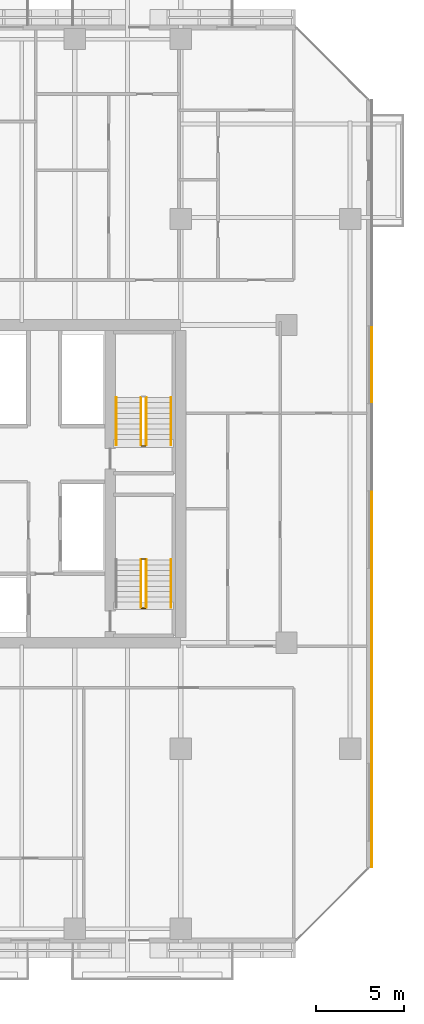
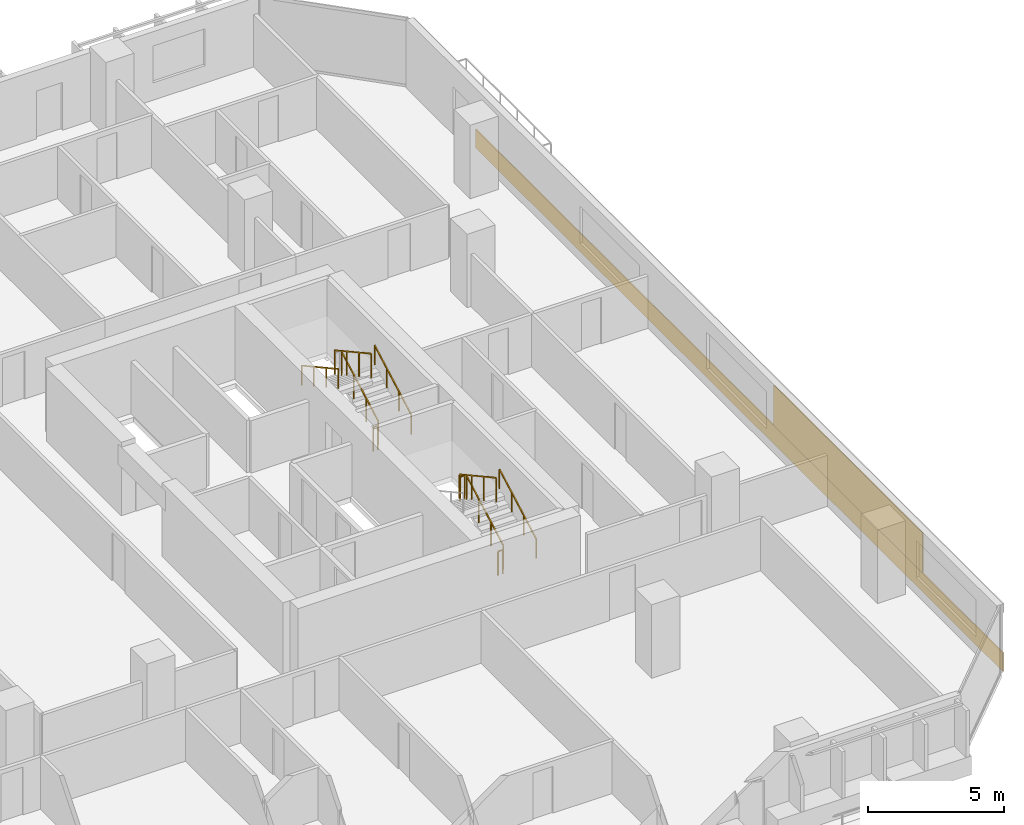
# One storey, part 31 of 33: 10 railings, 2 coverings.
"""IFC4 building model written with IfcOpenShell, lengths in metres."""

import ifcopenshell
import ifcopenshell.guid

model = None  # the IFC model being written
_history = None  # IfcOwnerHistory: only IFC2X3 demands one
_inside = {}  # id of a spatial element -> (the spatial element, [elements in it])
_under = {}  # id of a project, library or spatial element -> (it, [spatial elements below it])
_declared = {}  # id of a project -> (the project, [libraries it declares])
_typed = {}  # id of a type object -> (the type object, [elements of that type])
_made_of = {}  # id of a material, layer set ... -> (it, [elements and type objects made of it])


def new_model(schema):
    """Start an empty IFC model of exactly this schema.

    Asked for "IFC4X3", IfcOpenShell would pick the latest addendum, in which some entities
    have other attributes; the version numbers below select the first issue.
    IFC2X3 requires an IfcOwnerHistory on every rooted entity: one is made here for all.
    """
    global model, _history
    if schema == "IFC4X3":
        model = ifcopenshell.file(schema_version=(4, 3, 0, 0))
    else:
        model = ifcopenshell.file(schema=schema)
    _inside.clear()
    _under.clear()
    _declared.clear()
    _typed.clear()
    _made_of.clear()
    _history = None
    if model.schema == "IFC2X3":
        org = make("IfcOrganization", Name="unknown")
        user = make(
            "IfcPersonAndOrganization",
            ThePerson=make("IfcPerson", FamilyName="unknown"),
            TheOrganization=org,
        )
        app = make(
            "IfcApplication",
            ApplicationDeveloper=org,
            Version="unknown",
            ApplicationFullName="unknown",
            ApplicationIdentifier="unknown",
        )
        _history = make(
            "IfcOwnerHistory",
            OwningUser=user,
            OwningApplication=app,
            ChangeAction="ADDED",
            CreationDate=0,
        )
    return model


def make(cls, **values):
    """One entity of the class cls with the attributes given. An attribute that is None is left unset."""
    return model.create_entity(
        cls, **{name: value for name, value in values.items() if value is not None}
    )


def rooted(cls, **values):
    """An entity with a GlobalId (a new one), such as an element, a storey or a relation."""
    return make(cls, GlobalId=ifcopenshell.guid.new(), OwnerHistory=_history, **values)


def si_unit(unit_type, name, prefix=None):
    """IfcSIUnit, for example si_unit("LENGTHUNIT", "METRE", prefix="MILLI")."""
    return make("IfcSIUnit", UnitType=unit_type, Prefix=prefix, Name=name)


def assignment(units):
    """IfcUnitAssignment: the units of a project."""
    return None if units is None else make("IfcUnitAssignment", Units=units)


def point(xyz):
    """IfcCartesianPoint."""
    return None if xyz is None else make("IfcCartesianPoint", Coordinates=xyz)


def direction(xyz):
    """IfcDirection."""
    return None if xyz is None else make("IfcDirection", DirectionRatios=xyz)


def frame(location, z_axis=None, x_axis=None):
    """IfcAxis2Placement3D, a coordinate frame: its origin and axes. An axis left out is left unset."""
    return make(
        "IfcAxis2Placement3D",
        Location=point(location),
        Axis=direction(z_axis),
        RefDirection=direction(x_axis),
    )


def frame_2d(location, x_axis=None):
    """IfcAxis2Placement2D, a coordinate frame in the plane: its origin and x axis."""
    return make(
        "IfcAxis2Placement2D", Location=point(location), RefDirection=direction(x_axis)
    )


def origin():
    """The frame at (0, 0, 0) with its axes left unset."""
    return frame((0.0, 0.0, 0.0))


def origin_2d():
    """The frame at (0, 0) in the plane with its x axis left unset."""
    return frame_2d((0.0, 0.0))


def place(relative_to, where):
    """IfcLocalPlacement: puts the frame where relative to a parent placement (None: the world)."""
    return make(
        "IfcLocalPlacement", PlacementRelTo=relative_to, RelativePlacement=where
    )


def context(
    kind, dimensions, precision=None, world=None, true_north=None, identifier=None
):
    """IfcGeometricRepresentationContext, for example the 3D "Model" context."""
    return make(
        "IfcGeometricRepresentationContext",
        ContextIdentifier=identifier,
        ContextType=kind,
        CoordinateSpaceDimension=dimensions,
        Precision=precision,
        WorldCoordinateSystem=world,
        TrueNorth=true_north,
    )


def subcontext(parent, identifier, kind, view, scale=None):
    """IfcGeometricRepresentationSubContext, for example "Body" below "Model"."""
    return make(
        "IfcGeometricRepresentationSubContext",
        ContextIdentifier=identifier,
        ContextType=kind,
        ParentContext=parent,
        TargetScale=scale,
        TargetView=view,
    )


def project(units=None, contexts=None):
    """IfcProject with its units and contexts."""
    return rooted(
        "IfcProject",
        Name="project",
        RepresentationContexts=contexts,
        UnitsInContext=assignment(units),
    )


def spatial(cls, under=None, at=None, **own):
    """A site, building, storey or space (cls), placed at a placement, below another one or the project."""
    s = rooted(cls, ObjectPlacement=at, **own)
    if under is not None:
        _under.setdefault(under.id(), (under, []))[1].append(s)
    return s


def profile(cls, at=None, kind="AREA", **sizes):
    """A parametric profile (cls). Its sizes go by their IFC names, for example OverallWidth=200.0."""
    return make(cls, ProfileType=kind, Position=at, **sizes)


def rectangle(**sizes):
    """IfcRectangleProfileDef."""
    return profile("IfcRectangleProfileDef", **sizes)


def extrude(swept, where, along, depth):
    """IfcExtrudedAreaSolid: the profile swept, set in the frame where, extruded along a direction by depth."""
    return make(
        "IfcExtrudedAreaSolid",
        SweptArea=swept,
        Position=where,
        ExtrudedDirection=direction(along),
        Depth=depth,
    )


def shape(context_of_items, identifier, shape_type, items):
    """IfcShapeRepresentation: the items that make up one representation, for example the "Body"."""
    return make(
        "IfcShapeRepresentation",
        ContextOfItems=context_of_items,
        RepresentationIdentifier=identifier,
        RepresentationType=shape_type,
        Items=items,
    )


def material(Name=None, Category=None):
    """IfcMaterial."""
    return make("IfcMaterial", Name=Name, Category=Category)


def layer(
    of_material, thickness, ventilated=None, Name=None, Category=None, Priority=None
):
    """IfcMaterialLayer: one layer of a wall or slab, of a material (None: an air gap)."""
    return make(
        "IfcMaterialLayer",
        Material=of_material,
        LayerThickness=thickness,
        IsVentilated=ventilated,
        Name=Name,
        Category=Category,
        Priority=Priority,
    )


def layer_set(layers, Name=None):
    """IfcMaterialLayerSet."""
    return make("IfcMaterialLayerSet", MaterialLayers=layers, LayerSetName=Name)


def made_of(thing, what):
    """Note that an element or type object is made of a material, layer set ...; save() writes the relation."""
    if what is not None:
        _made_of.setdefault(what.id(), (what, []))[1].append(thing)
    return thing


def type_object(cls, material=None, **own):
    """A type object (cls), such as IfcWallType, which elements share."""
    return made_of(rooted(cls, **own), material)


def element(
    cls,
    number,
    at=None,
    inside=None,
    cuts=None,
    type_object=None,
    material=None,
    context=None,
    identifier="Body",
    shape_type=None,
    held_by="IfcProductDefinitionShape",
    body=None,
    shapes=None,
    **own,
):
    """One element of the class cls, such as IfcWall. Its Tag is "e" and its number.

    at: its placement. inside: the storey or other place that contains it. cuts: it is an
    opening in that element (IfcRelVoidsElement). A single representation is given by context,
    identifier, shape_type and body (its items); several are given by shapes. held_by: the class
    of the entity that holds the representations. save() writes the other relations.
    """
    e = rooted(cls, Tag="e%d" % number, ObjectPlacement=at, **own)
    if body is not None:
        shapes = [shape(context, identifier, shape_type, body)]
    if shapes is not None:
        e.Representation = make(held_by, Representations=shapes)
    if inside is not None:
        _inside.setdefault(inside.id(), (inside, []))[1].append(e)
    if cuts is not None:
        rooted(
            "IfcRelVoidsElement", RelatingBuildingElement=cuts, RelatedOpeningElement=e
        )
    if type_object is not None:
        _typed.setdefault(type_object.id(), (type_object, []))[1].append(e)
    return made_of(e, material)


def aggregate(whole, parts):
    """IfcRelAggregates: a whole, such as a stair, and the parts it consists of."""
    return rooted("IfcRelAggregates", RelatingObject=whole, RelatedObjects=parts)


def save(model, path):
    """Write the relations noted so far, then the file.

    IfcRelAggregates (storeys below a building ...), IfcRelContainedInSpatialStructure (elements
    in a storey), IfcRelDefinesByType, IfcRelAssociatesMaterial and IfcRelDeclares: one each for
    every whole, place, type object, material and project.
    """
    for whole, parts in _under.values():
        aggregate(whole, parts)
    for where, things in _inside.values():
        rooted(
            "IfcRelContainedInSpatialStructure",
            RelatedElements=things,
            RelatingStructure=where,
        )
    for kind, things in _typed.values():
        rooted("IfcRelDefinesByType", RelatedObjects=things, RelatingType=kind)
    for what, things in _made_of.values():
        rooted("IfcRelAssociatesMaterial", RelatedObjects=things, RelatingMaterial=what)
    for by, libraries in _declared.values():
        rooted("IfcRelDeclares", RelatingContext=by, RelatedDefinitions=libraries)
    model.write(path)


model = new_model("IFC4")

# Units and contexts
model_context = context("Model", 3, precision=1e-05, world=origin(), true_north=direction((0.0, 1.0)))
body_context = subcontext(model_context, "Body", "Model", "MODEL_VIEW")
ifc_project = project(units=[si_unit("LENGTHUNIT", "METRE"), si_unit("AREAUNIT", "SQUARE_METRE"), si_unit("VOLUMEUNIT", "CUBIC_METRE"), si_unit("PLANEANGLEUNIT", "RADIAN"), si_unit("MASSUNIT", "GRAM", prefix="KILO")], contexts=[model_context])

# Site, building, storey
site_placement = place(None, origin())
site = spatial("IfcSite", under=ifc_project, at=site_placement, CompositionType="ELEMENT")
building_placement = place(site_placement, origin())
building = spatial("IfcBuilding", under=site, at=building_placement, Name="Tanjung Sevakor Pilgrim Tower", CompositionType="ELEMENT")
storey_placement = place(building_placement, frame((0.0, 0.0, 52.139892578125)))
storey = spatial("IfcBuildingStorey", under=building, at=storey_placement, Name="L14", CompositionType="ELEMENT", Elevation=52.139892578125)

# Coverings
ifc_material_1 = material(Name="Reconstructed Limestone Cladding", Category="masonry")
ifc_layer = layer(ifc_material_1, 0.044921875)
ifc_layer_set = layer_set([ifc_layer], Name="COV-CLAD-LIMESTONE")
covering_type = type_object("IfcCoveringType", Name="COV-CLAD-LIMESTONE", PredefinedType="CLADDING", material=ifc_layer_set)
covering_1_placement = place(storey_placement, frame((100.822509765625, 31.319091796875, 0.01025390625), z_axis=(0.0, 0.0, 1.0), x_axis=(0.0, 1.0, 0.0)))
element("IfcCovering", 1, at=covering_1_placement, inside=storey, type_object=covering_type, Name="L14 Warm Limestone Sill Spandrel EW-L14-MAIN-7-1", PredefinedType="CLADDING", context=body_context, shape_type="SweptSolid", body=[
    extrude(rectangle(XDim=38.842041015625, YDim=0.044921875, at=origin_2d()), origin(), (0.0, 0.0, 1.0), 0.840087890625),
])
covering_2_placement = place(storey_placement, frame((100.822509765625, 23.28955078125, 0.85009765625), z_axis=(0.0, 0.0, 1.0), x_axis=(0.0, 1.0, 0.0)))
element("IfcCovering", 2, at=covering_2_placement, inside=storey, type_object=covering_type, Name="L14 Warm Limestone Pier Panel EW-L14-MAIN-7-1", PredefinedType="CLADDING", context=body_context, shape_type="SweptSolid", body=[
    extrude(rectangle(XDim=10.94091796875, YDim=0.044921875, at=origin_2d()), origin(), (0.0, 0.0, 1.0), 1.81005859375),
])

# Railings
ifc_material_2 = material(Name="Steel S355J2", Category="steel")
railing_type_1 = type_object("IfcRailingType", Name="RL-STAIR-GUARD", PredefinedType="GUARDRAIL", material=ifc_material_2)
railing_1_placement = place(storey_placement, frame((88.050048828125, 26.60009765625, 0.1650390625)))
element("IfcRailing", 3, at=railing_1_placement, inside=storey, type_object=railing_type_1, Name="L14 TS-E1 stair guard 1", PredefinedType="GUARDRAIL", context=body_context, shape_type="SweptSolid", body=[
    extrude(rectangle(XDim=0.0479, YDim=0.0479), frame((0.0, 0.0, 1.076171875), z_axis=(0.0, 0.876197507361, 0.481952205197), x_axis=(-1.0, 0.0, 0.0)), (0.0, 0.0, 1.0), 3.08154296875),
    extrude(rectangle(XDim=0.042, YDim=0.042), origin(), (0.0, 0.0, 1.0), 1.052001953125),
    extrude(rectangle(XDim=0.042, YDim=0.042), frame((0.0, 0.89990234375, 0.4951171875)), (0.0, 0.0, 1.0), 1.052001953125),
    extrude(rectangle(XDim=0.042, YDim=0.042), frame((0.0, 1.800048828125, 0.989990234375)), (0.0, 0.0, 1.0), 1.052001953125),
    extrude(rectangle(XDim=0.042, YDim=0.042), frame((0.0, 2.699951171875, 1.485107421875)), (0.0, 0.0, 1.0), 1.052001953125),
])
railing_2_placement = place(storey_placement, frame((88.0, 29.35009765625, 1.650146484375)))
element("IfcRailing", 4, at=railing_2_placement, inside=storey, type_object=railing_type_1, Name="L14 TS-E1 stair guard 2", PredefinedType="GUARDRAIL", context=body_context, shape_type="SweptSolid", body=[
    extrude(rectangle(XDim=0.0479, YDim=0.0479), frame((0.0, 0.0, 1.076171875), z_axis=(-1.0, 0.0, 0.0), x_axis=(0.0, -1.0, 0.0)), (0.0, 0.0, 1.0), 0.199951171875),
    extrude(rectangle(XDim=0.042, YDim=0.042), origin(), (0.0, 0.0, 1.0), 1.052001953125),
    extrude(rectangle(XDim=0.042, YDim=0.042), frame((-0.199951171875, 0.0, 0.0)), (0.0, 0.0, 1.0), 1.052001953125),
])
railing_3_placement = place(storey_placement, frame((87.75, 29.300048828125, 1.815185546875)))
element("IfcRailing", 5, at=railing_3_placement, inside=storey, type_object=railing_type_1, Name="L14 TS-E1 stair guard 3", PredefinedType="GUARDRAIL", context=body_context, shape_type="SweptSolid", body=[
    extrude(rectangle(XDim=0.0479, YDim=0.0479), frame((0.0, 0.0, 1.076171875), z_axis=(0.0, -0.876230963923, 0.481891375584), x_axis=(1.0, 0.0, 0.0)), (0.0, 0.0, 1.0), 3.081298828125),
    extrude(rectangle(XDim=0.042, YDim=0.042), origin(), (0.0, 0.0, 1.0), 1.052001953125),
    extrude(rectangle(XDim=0.042, YDim=0.042), frame((0.0, -0.89990234375, 0.494873046875)), (0.0, 0.0, 1.0), 1.052001953125),
    extrude(rectangle(XDim=0.042, YDim=0.042), frame((0.0, -1.800048828125, 0.989990234375)), (0.0, 0.0, 1.0), 1.052001953125),
    extrude(rectangle(XDim=0.042, YDim=0.042), frame((0.0, -2.699951171875, 1.48486328125)), (0.0, 0.0, 1.0), 1.052001953125),
])
railing_4_placement = place(storey_placement, frame((88.0, 26.550048828125, 0.0)))
element("IfcRailing", 6, at=railing_4_placement, inside=storey, type_object=railing_type_1, Name="L14 TS-E1 stair guard 4", PredefinedType="GUARDRAIL", context=body_context, shape_type="SweptSolid", body=[
    extrude(rectangle(XDim=0.0479, YDim=0.0479), frame((0.0, 0.0, 1.076171875), z_axis=(-1.0, 0.0, 0.0), x_axis=(0.0, -1.0, 0.0)), (0.0, 0.0, 1.0), 0.199951171875),
    extrude(rectangle(XDim=0.042, YDim=0.042), origin(), (0.0, 0.0, 1.0), 1.052001953125),
    extrude(rectangle(XDim=0.042, YDim=0.042), frame((-0.199951171875, 0.0, 0.0)), (0.0, 0.0, 1.0), 1.052001953125),
])
railing_5_placement = place(storey_placement, frame((88.050048828125, 35.800048828125, 0.1650390625)))
element("IfcRailing", 7, at=railing_5_placement, inside=storey, type_object=railing_type_1, Name="L14 TS-E2 stair guard 1", PredefinedType="GUARDRAIL", context=body_context, shape_type="SweptSolid", body=[
    extrude(rectangle(XDim=0.0479, YDim=0.0479), frame((0.0, 0.0, 1.076171875), z_axis=(0.0, 0.876197507361, 0.481952205197), x_axis=(-1.0, 0.0, 0.0)), (0.0, 0.0, 1.0), 3.08154296875),
    extrude(rectangle(XDim=0.042, YDim=0.042), origin(), (0.0, 0.0, 1.0), 1.052001953125),
    extrude(rectangle(XDim=0.042, YDim=0.042), frame((0.0, 0.89990234375, 0.4951171875)), (0.0, 0.0, 1.0), 1.052001953125),
    extrude(rectangle(XDim=0.042, YDim=0.042), frame((0.0, 1.800048828125, 0.989990234375)), (0.0, 0.0, 1.0), 1.052001953125),
    extrude(rectangle(XDim=0.042, YDim=0.042), frame((0.0, 2.699951171875, 1.485107421875)), (0.0, 0.0, 1.0), 1.052001953125),
])
railing_6_placement = place(storey_placement, frame((87.75, 38.5, 1.815185546875)))
element("IfcRailing", 8, at=railing_6_placement, inside=storey, type_object=railing_type_1, Name="L14 TS-E2 stair guard 3", PredefinedType="GUARDRAIL", context=body_context, shape_type="SweptSolid", body=[
    extrude(rectangle(XDim=0.0479, YDim=0.0479), frame((0.0, 0.0, 1.076171875), z_axis=(0.0, -0.876230963923, 0.481891375584), x_axis=(1.0, 0.0, 0.0)), (0.0, 0.0, 1.0), 3.081298828125),
    extrude(rectangle(XDim=0.042, YDim=0.042), origin(), (0.0, 0.0, 1.0), 1.052001953125),
    extrude(rectangle(XDim=0.042, YDim=0.042), frame((0.0, -0.89990234375, 0.494873046875)), (0.0, 0.0, 1.0), 1.052001953125),
    extrude(rectangle(XDim=0.042, YDim=0.042), frame((0.0, -1.800048828125, 0.989990234375)), (0.0, 0.0, 1.0), 1.052001953125),
    extrude(rectangle(XDim=0.042, YDim=0.042), frame((0.0, -2.699951171875, 1.48486328125)), (0.0, 0.0, 1.0), 1.052001953125),
])
railing_7_placement = place(storey_placement, frame((88.0, 35.75, 0.0)))
element("IfcRailing", 9, at=railing_7_placement, inside=storey, type_object=railing_type_1, Name="L14 TS-E2 stair guard 4", PredefinedType="GUARDRAIL", context=body_context, shape_type="SweptSolid", body=[
    extrude(rectangle(XDim=0.0479, YDim=0.0479), frame((0.0, 0.0, 1.076171875), z_axis=(-1.0, 0.0, 0.0), x_axis=(0.0, -1.0, 0.0)), (0.0, 0.0, 1.0), 0.199951171875),
    extrude(rectangle(XDim=0.042, YDim=0.042), origin(), (0.0, 0.0, 1.0), 1.052001953125),
    extrude(rectangle(XDim=0.042, YDim=0.042), frame((-0.199951171875, 0.0, 0.0)), (0.0, 0.0, 1.0), 1.052001953125),
])
ifc_material_3 = material(Name="Steel S355J2", Category="steel")
railing_type_2 = type_object("IfcRailingType", Name="RL-STAIR-HAND", PredefinedType="HANDRAIL", material=ifc_material_3)
for number, where, name in (
    (10, (89.449951171875, 26.60009765625, 0.1650390625), "L14 TS-E1 stair handrail 1"),
    (11, (89.449951171875, 35.800048828125, 0.1650390625), "L14 TS-E2 stair handrail 1"),
):
    element("IfcRailing", number, at=place(storey_placement, frame(where)), inside=storey, type_object=railing_type_2, Name=name, PredefinedType="HANDRAIL", context=body_context, shape_type="SweptSolid", body=[
        extrude(rectangle(XDim=0.0479, YDim=0.0479), frame((0.0, 0.0, 0.8759765625), z_axis=(0.0, 0.876197507361, 0.481952205197), x_axis=(-1.0, 0.0, 0.0)), (0.0, 0.0, 1.0), 3.08154296875),
        extrude(rectangle(XDim=0.042, YDim=0.042), origin(), (0.0, 0.0, 1.0), 0.851806640625),
        extrude(rectangle(XDim=0.042, YDim=0.042), frame((0.0, 0.89990234375, 0.4951171875)), (0.0, 0.0, 1.0), 0.851806640625),
        extrude(rectangle(XDim=0.042, YDim=0.042), frame((0.0, 1.800048828125, 0.989990234375)), (0.0, 0.0, 1.0), 0.851806640625),
        extrude(rectangle(XDim=0.042, YDim=0.042), frame((0.0, 2.699951171875, 1.485107421875)), (0.0, 0.0, 1.0), 0.851806640625),
    ])
railing_8_placement = place(storey_placement, frame((86.35009765625, 38.5, 1.815185546875)))
element("IfcRailing", 12, at=railing_8_placement, inside=storey, type_object=railing_type_2, Name="L14 TS-E2 stair handrail 2", PredefinedType="HANDRAIL", context=body_context, shape_type="SweptSolid", body=[
    extrude(rectangle(XDim=0.0479, YDim=0.0479), frame((0.0, 0.0, 0.8759765625), z_axis=(0.0, -0.876230963923, 0.481891375584), x_axis=(1.0, 0.0, 0.0)), (0.0, 0.0, 1.0), 3.081298828125),
    extrude(rectangle(XDim=0.042, YDim=0.042), origin(), (0.0, 0.0, 1.0), 0.851806640625),
    extrude(rectangle(XDim=0.042, YDim=0.042), frame((0.0, -0.89990234375, 0.494873046875)), (0.0, 0.0, 1.0), 0.851806640625),
    extrude(rectangle(XDim=0.042, YDim=0.042), frame((0.0, -1.800048828125, 0.989990234375)), (0.0, 0.0, 1.0), 0.851806640625),
    extrude(rectangle(XDim=0.042, YDim=0.042), frame((0.0, -2.699951171875, 1.48486328125)), (0.0, 0.0, 1.0), 0.851806640625),
])

save(model, "model.ifc")
